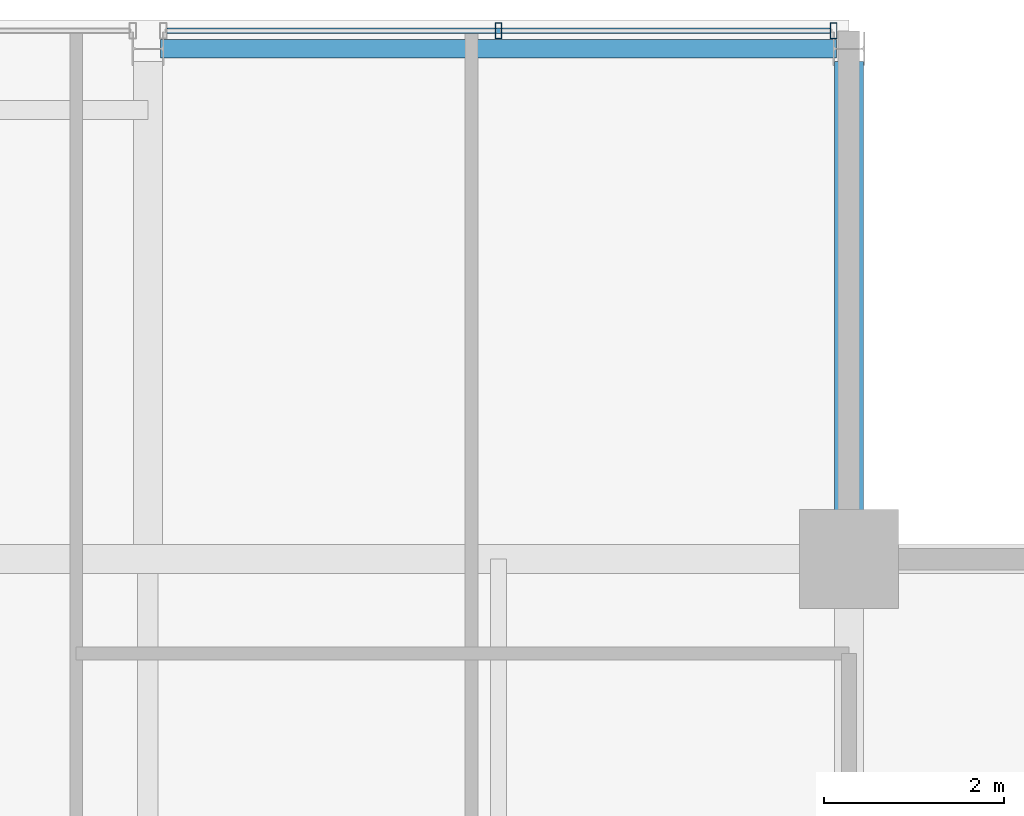
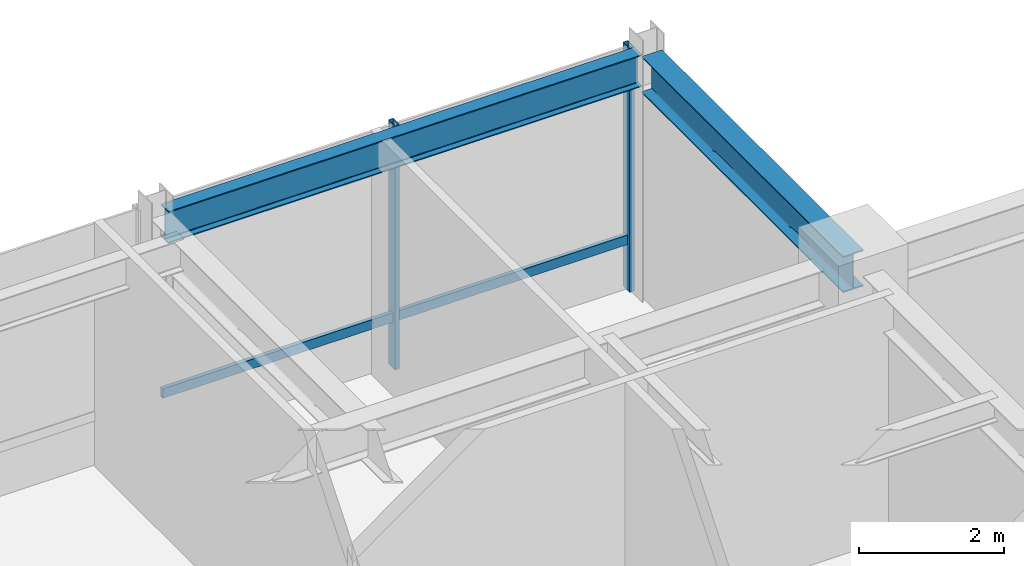
# One storey, part 27 of 34: 3 members, 2 beams, 1 element without a shape of its own.
"""IFC4 building model written with IfcOpenShell, lengths in metres."""

from ifc_helpers import new_model, si_unit, direction, frame, origin, origin_2d, place, context, subcontext, project, spatial, hollow_rectangle, i_section, extrude, material, layer, layer_set, material_profile, profile_set, type_object, element, aggregate, save


model = new_model("IFC4")

# Units and contexts
model_context = context("Model", 3, precision=1e-05, world=origin(), true_north=direction((0.0, 1.0)))
body_context = subcontext(model_context, "Body", "Model", "MODEL_VIEW")
ifc_project = project(units=[si_unit("LENGTHUNIT", "METRE"), si_unit("AREAUNIT", "SQUARE_METRE"), si_unit("VOLUMEUNIT", "CUBIC_METRE"), si_unit("PLANEANGLEUNIT", "RADIAN"), si_unit("MASSUNIT", "GRAM", prefix="KILO")], contexts=[model_context])

# Site, building, storey
site_placement = place(None, origin())
site = spatial("IfcSite", under=ifc_project, at=site_placement, CompositionType="ELEMENT")
building_placement = place(site_placement, origin())
building = spatial("IfcBuilding", under=site, at=building_placement, Name="Drelvath Grand Hotel", CompositionType="ELEMENT")
storey_placement = place(building_placement, frame((0.0, 0.0, 294.199951171875)))
storey = spatial("IfcBuildingStorey", under=building, at=storey_placement, Name="L77", CompositionType="ELEMENT", Elevation=294.199951171875)

# Curtain wall, members
ifc_material_1 = material(Name="Platinum-Mist Anodised Aluminium Frame", Category="aluminium")
ifc_layer = layer(ifc_material_1, 0.199951171875)
ifc_layer_set = layer_set([ifc_layer], Name="Platinum-Mist Anodised Aluminium Frame")
curtain_wall_type = type_object("IfcCurtainWallType", Name="Stick Curtain Wall CW-05 Platinum Mist High-Rise", PredefinedType="NOTDEFINED", material=ifc_layer_set)
curtain_wall_placement = place(storey_placement, origin())
curtain_wall = element("IfcCurtainWall", 1, at=curtain_wall_placement, inside=storey, type_object=curtain_wall_type, Name="L77 CW-05 Curtain Wall CW05-L77-NE2", PredefinedType="NOTDEFINED")
ifc_material_profile_1 = material_profile(ifc_material_1, hollow_rectangle(XDim=0.06494140625, YDim=0.159912109375, WallThickness=0.00390625, at=origin_2d()), Name="HSS160X65X4")
ifc_profile_set_1 = profile_set([ifc_material_profile_1], Name="Platinum-Mist Anodised Aluminium Frame")
member_type_1 = type_object("IfcMemberType", Name="Curtain Wall Horizontal Transom CW-05 HSS160X65X4", PredefinedType="USERDEFINED", material=ifc_profile_set_1)
member_1_placement = place(storey_placement, frame((8.610107421875, 49.080078125, 0.85009765625), z_axis=(1.0, 0.0, 0.0), x_axis=(0.0, 1.0, 0.0)))
member_1 = element("IfcMember", 2, at=member_1_placement, type_object=member_type_1, Name="CW05-L77-NE2 Sill Transom", ObjectType="TRANSOM", PredefinedType="USERDEFINED", context=body_context, shape_type="SweptSolid", body=[
    extrude(hollow_rectangle(XDim=0.06494140625, YDim=0.159912109375, WallThickness=0.00390625, at=origin_2d()), origin(), (0.0, 0.0, 1.0), 7.3798828125),
])
ifc_material_profile_2 = material_profile(ifc_material_1, hollow_rectangle(XDim=0.074951171875, YDim=0.179931640625, WallThickness=0.0048828125, at=origin_2d()), Name="HSS180X75X5")
ifc_profile_set_2 = profile_set([ifc_material_profile_2], Name="Platinum-Mist Anodised Aluminium Frame")
member_type_2 = type_object("IfcMemberType", Name="Curtain Wall Vertical Mullion CW-05 HSS180X75X5", PredefinedType="MULLION", material=ifc_profile_set_2)
member_2_placement = place(storey_placement, frame((12.300048828125, 49.080078125, 0.0), z_axis=(0.0, 0.0, 1.0), x_axis=(1.0, 0.0, 0.0)))
member_2 = element("IfcMember", 3, at=member_2_placement, type_object=member_type_2, Name="CW05-L77-NE2 Mullion 2", PredefinedType="MULLION", context=body_context, shape_type="SweptSolid", body=[
    extrude(hollow_rectangle(XDim=0.074951171875, YDim=0.179931640625, WallThickness=0.0048828125, at=origin_2d()), origin(), (0.0, 0.0, 1.0), 4.10009765625),
])
member_3_placement = place(storey_placement, frame((16.02978515625, 49.080078125, 0.0), z_axis=(0.0, 0.0, 1.0), x_axis=(1.0, 0.0, 0.0)))
member_3 = element("IfcMember", 4, at=member_3_placement, type_object=member_type_2, Name="CW05-L77-NE2 Mullion 3", PredefinedType="MULLION", context=body_context, shape_type="SweptSolid", body=[
    extrude(hollow_rectangle(XDim=0.074951171875, YDim=0.179931640625, WallThickness=0.0048828125, at=origin_2d()), origin(), (0.0, 0.0, 1.0), 4.10009765625),
])
aggregate(curtain_wall, [member_2, member_3, member_1])

# Beams
ifc_material_2 = material(Name="Steel ASTM A992 Gr 50", Category="steel")
ifc_material_profile_3 = material_profile(ifc_material_2, i_section(OverallWidth=0.210205078125, OverallDepth=0.53662109375, WebThickness=0.010986328125, FlangeThickness=0.017333984375, FilletRadius=0.01806640625, at=origin_2d()), Name="W21X68")
ifc_profile_set_3 = profile_set([ifc_material_profile_3], Name="Steel ASTM A992 Gr 50")
beam_type_1 = type_object("IfcBeamType", Name="Perimeter Spandrel Beam W21X68", PredefinedType="SPANDREL", material=ifc_profile_set_3)
beam_1_placement = place(storey_placement, frame((8.5400390625, 48.8798828125, 3.831787109375), z_axis=(1.0, 0.0, 0.0), x_axis=(0.0, 1.0, 0.0)))
element("IfcBeam", 5, at=beam_1_placement, inside=storey, type_object=beam_type_1, Name="L77 Spandrel North E", PredefinedType="SPANDREL", context=body_context, shape_type="SweptSolid", body=[
    extrude(i_section(OverallWidth=0.210205078125, OverallDepth=0.53662109375, WebThickness=0.010986328125, FlangeThickness=0.017333984375, FilletRadius=0.01806640625, at=origin_2d()), origin(), (0.0, 0.0, 1.0), 7.52001953125),
])
ifc_material_profile_4 = material_profile(ifc_material_2, i_section(OverallWidth=0.323974609375, OverallDepth=0.611083984375, WebThickness=0.0126953125, FlangeThickness=0.01904296875, FilletRadius=0.02197265625, at=origin_2d()), Name="W24X104")
ifc_profile_set_4 = profile_set([ifc_material_profile_4], Name="Steel ASTM A992 Gr 50")
beam_type_2 = type_object("IfcBeamType", Name="Primary Floor Girder W24X104", PredefinedType="BEAM", material=ifc_profile_set_4)
beam_2_placement = place(storey_placement, frame((16.199951171875, 43.199951171875, 3.79443359375), z_axis=(0.0, 1.0, 0.0), x_axis=(-1.0, 0.0, 0.0)))
element("IfcBeam", 6, at=beam_2_placement, inside=storey, type_object=beam_type_2, Name="L77 North Grid Girder 7", PredefinedType="BEAM", context=body_context, shape_type="SweptSolid", body=[
    extrude(i_section(OverallWidth=0.323974609375, OverallDepth=0.611083984375, WebThickness=0.0126953125, FlangeThickness=0.01904296875, FilletRadius=0.02197265625, at=origin_2d()), origin(), (0.0, 0.0, 1.0), 5.5400390625),
])

save(model, "model.ifc")
